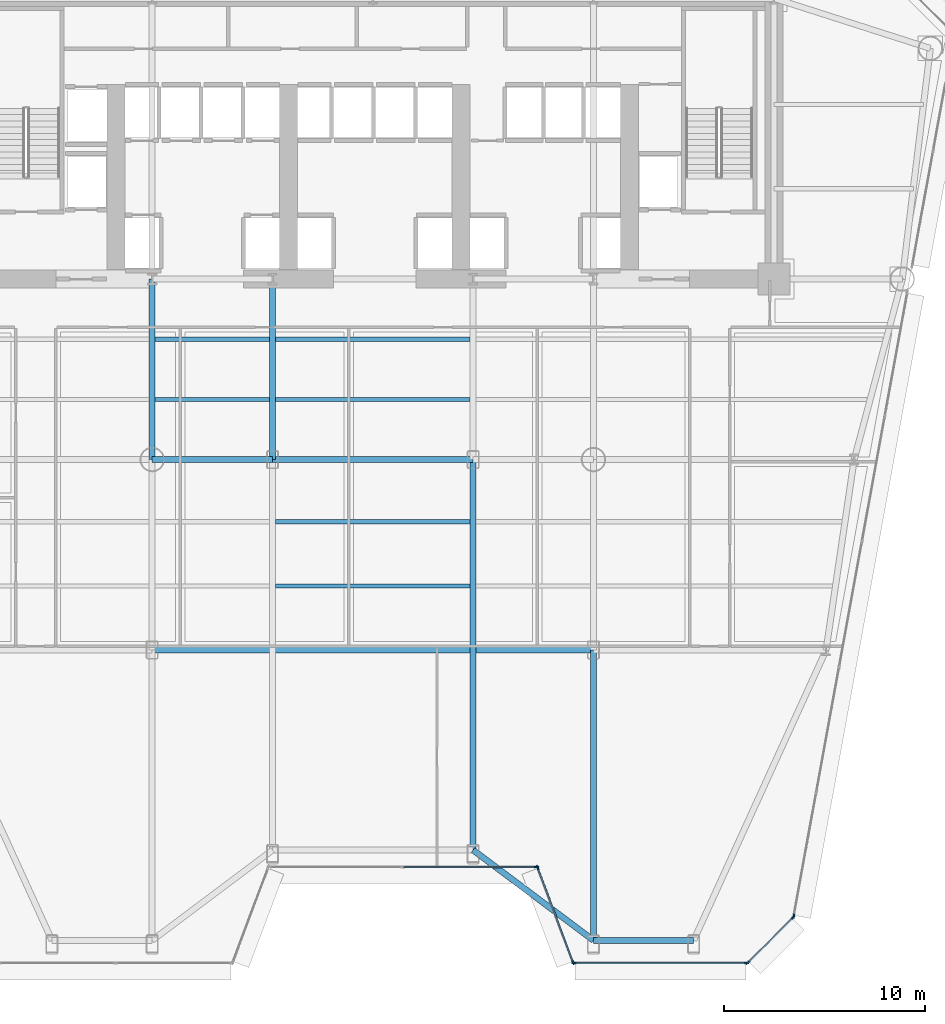
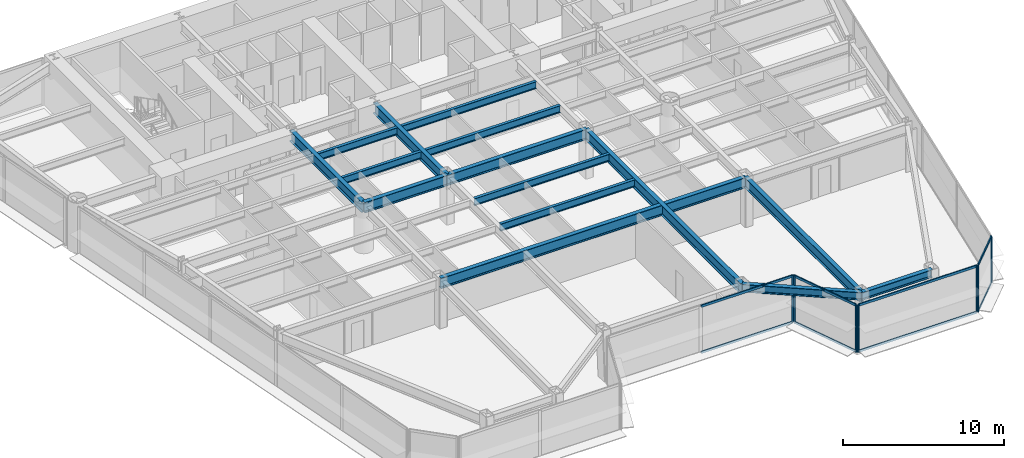
# One storey, part 3 of 14: 16 members, 15 beams, 5 elements without a shape of their own.
"""IFC4 building model written with IfcOpenShell, lengths in metres."""

from ifc_helpers import new_model, si_unit, direction, frame, origin, origin_2d, place, context, subcontext, project, spatial, rectangle, i_section, extrude, source, transform, mapped, material, layer, layer_set, material_profile, profile_set, type_object, element, aggregate, save


model = new_model("IFC4")

# Units and contexts
model_context = context("Model", 3, precision=1e-05, world=origin(), true_north=direction((0.0, 1.0)))
body_context = subcontext(model_context, "Body", "Model", "MODEL_VIEW")
ifc_project = project(units=[si_unit("LENGTHUNIT", "METRE"), si_unit("AREAUNIT", "SQUARE_METRE"), si_unit("VOLUMEUNIT", "CUBIC_METRE"), si_unit("PLANEANGLEUNIT", "RADIAN"), si_unit("MASSUNIT", "GRAM", prefix="KILO")], contexts=[model_context])

# Site, building, storey
site_placement = place(None, origin())
site = spatial("IfcSite", under=ifc_project, at=site_placement, CompositionType="ELEMENT")
building_placement = place(site_placement, origin())
building = spatial("IfcBuilding", under=site, at=building_placement, Name="Vaeldorn Concourse Tower", CompositionType="ELEMENT")
storey_placement = place(building_placement, frame((0.0, 0.0, 56.800048828125)))
storey = spatial("IfcBuildingStorey", under=building, at=storey_placement, Name="L14", CompositionType="ELEMENT", Elevation=56.800048828125)

# Beams
ifc_material_1 = material(Name="Steel S355", Category="steel")
ifc_material_profile_1 = material_profile(ifc_material_1, i_section(OverallWidth=0.300048828125, OverallDepth=0.800048828125, WebThickness=0.017578125, FlangeThickness=0.032958984375, FilletRadius=0.030029296875, at=origin_2d()), Name="HEB 800")
ifc_profile_set_1 = profile_set([ifc_material_profile_1], Name="Steel S355")
beam_type_1 = type_object("IfcBeamType", Name="BM-PG-HEB800", PredefinedType="BEAM", material=ifc_profile_set_1)
shared_shape_1 = source(origin(), body_context, "Body", "SweptSolid", [
    extrude(i_section(OverallWidth=0.300048828125, OverallDepth=0.800048828125, WebThickness=0.017578125, FlangeThickness=0.032958984375, FilletRadius=0.030029296875, at=origin_2d()), origin(), (0.0, 0.0, 1.0), 6.0),
])
beam_1_placement = place(storey_placement, frame((23.0, 27.5, 3.179931640625), z_axis=(1.0, 0.0, 0.0), x_axis=(0.0, 1.0, 0.0)))
element("IfcBeam", 1, at=beam_1_placement, inside=storey, type_object=beam_type_1, Name="Beam BM-L14-C-TW1-C-TW2", PredefinedType="BEAM", context=body_context, shape_type="MappedRepresentation", body=[
    mapped(shared_shape_1, transform((0.0, 0.0, 0.0), scale=1.0)),
])
shared_shape_2 = source(origin(), body_context, "Body", "SweptSolid", [
    extrude(i_section(OverallWidth=0.300048828125, OverallDepth=0.800048828125, WebThickness=0.017578125, FlangeThickness=0.032958984375, FilletRadius=0.030029296875, at=origin_2d()), origin(), (0.0, 0.0, 1.0), 10.0),
])
beam_2_placement = place(storey_placement, frame((29.0, 27.5, 3.179931640625), z_axis=(1.0, 0.0, 0.0), x_axis=(0.0, 1.0, 0.0)))
element("IfcBeam", 2, at=beam_2_placement, inside=storey, type_object=beam_type_1, Name="Beam BM-L14-C-TW2-C-TW3", PredefinedType="BEAM", context=body_context, shape_type="MappedRepresentation", body=[
    mapped(shared_shape_2, transform((0.0, 0.0, 0.0), scale=1.0)),
])
shared_shape_3 = source(origin(), body_context, "Body", "SweptSolid", [
    extrude(i_section(OverallWidth=0.300048828125, OverallDepth=0.800048828125, WebThickness=0.017578125, FlangeThickness=0.032958984375, FilletRadius=0.030029296875, at=origin_2d()), origin(), (0.0, 0.0, 1.0), 9.0),
])
for number, where, z_axis, x_axis, name in (
    (3, (23.0, 27.5, 3.179931640625), (0.0, 1.0, 0.0), (-1.0, 0.0, 0.0), "Beam BM-L14-C-TW1-C-FC2"),
    (4, (29.0, 27.5, 3.179931640625), (0.0, 1.0, 0.0), (-1.0, 0.0, 0.0), "Beam BM-L14-C-TW2-C-FC3"),
):
    element("IfcBeam", number, at=place(storey_placement, frame(where, z_axis=z_axis, x_axis=x_axis)), inside=storey, type_object=beam_type_1, Name=name, PredefinedType="BEAM", context=body_context, shape_type="MappedRepresentation", body=[
        mapped(shared_shape_3, transform((0.0, 0.0, 0.0), scale=1.0)),
    ])
ifc_material_profile_2 = material_profile(ifc_material_1, i_section(OverallWidth=0.300048828125, OverallDepth=0.60009765625, WebThickness=0.015380859375, FlangeThickness=0.030029296875, FilletRadius=0.027099609375, at=origin_2d()), Name="HEB 600")
ifc_profile_set_2 = profile_set([ifc_material_profile_2], Name="Steel S355")
beam_type_2 = type_object("IfcBeamType", Name="BM-SP-HEB600", PredefinedType="SPANDREL", material=ifc_profile_set_2)
shared_shape_4 = source(origin(), body_context, "Body", "SweptSolid", [
    extrude(i_section(OverallWidth=0.300048828125, OverallDepth=0.60009765625, WebThickness=0.015380859375, FlangeThickness=0.030029296875, FilletRadius=0.027099609375, at=origin_2d()), origin(), (0.0, 0.0, 1.0), 5.0),
])
beam_3_placement = place(storey_placement, frame((45.0, 3.52978515625, 3.280029296875), z_axis=(1.0, 0.0, 0.0), x_axis=(0.0, 1.0, 0.0)))
element("IfcBeam", 5, at=beam_3_placement, inside=storey, type_object=beam_type_2, Name="Beam BM-L14-C-SF5-C-SF6", PredefinedType="SPANDREL", context=body_context, shape_type="MappedRepresentation", body=[
    mapped(shared_shape_4, transform((0.0, 0.0, 0.0), scale=1.0)),
])
shared_shape_5 = source(origin(), body_context, "Body", "SweptSolid", [
    extrude(i_section(OverallWidth=0.300048828125, OverallDepth=0.60009765625, WebThickness=0.015380859375, FlangeThickness=0.030029296875, FilletRadius=0.027099609375, at=origin_2d()), origin(), (0.0, 0.0, 1.0), 7.5),
])
beam_4_placement = place(storey_placement, frame((39.0, 8.02978515625, 3.280029296875), z_axis=(0.8, -0.6, 0.0), x_axis=(0.6, 0.8, 0.0)))
element("IfcBeam", 6, at=beam_4_placement, inside=storey, type_object=beam_type_2, Name="Beam BM-L14-C-SF4-C-SF5", PredefinedType="SPANDREL", context=body_context, shape_type="MappedRepresentation", body=[
    mapped(shared_shape_5, transform((0.0, 0.0, 0.0), scale=1.0)),
])
shared_shape_6 = source(origin(), body_context, "Body", "SweptSolid", [
    extrude(i_section(OverallWidth=0.300048828125, OverallDepth=0.800048828125, WebThickness=0.017578125, FlangeThickness=0.032958984375, FilletRadius=0.030029296875, at=origin_2d()), origin(), (0.0, 0.0, 1.0), 22.0),
])
beam_5_placement = place(storey_placement, frame((23.0, 18.0, 3.179931640625), z_axis=(1.0, 0.0, 0.0), x_axis=(0.0, 1.0, 0.0)))
element("IfcBeam", 7, at=beam_5_placement, inside=storey, type_object=beam_type_1, Name="Beam BM-L14-C-TW5-C-TW6", PredefinedType="BEAM", context=body_context, shape_type="MappedRepresentation", body=[
    mapped(shared_shape_6, transform((0.0, 0.0, 0.0), scale=1.0)),
])
ifc_material_profile_3 = material_profile(ifc_material_1, i_section(OverallWidth=0.2099609375, OverallDepth=0.550048828125, WebThickness=0.010986328125, FlangeThickness=0.01708984375, FilletRadius=0.02392578125, at=origin_2d()), Name="IPE 550")
ifc_profile_set_3 = profile_set([ifc_material_profile_3], Name="Steel S355")
beam_type_3 = type_object("IfcBeamType", Name="BM-JS-IPE550", PredefinedType="JOIST", material=ifc_profile_set_3)
shared_shape_7 = source(origin(), body_context, "Body", "SweptSolid", [
    extrude(i_section(OverallWidth=0.2099609375, OverallDepth=0.550048828125, WebThickness=0.010986328125, FlangeThickness=0.01708984375, FilletRadius=0.02392578125, at=origin_2d()), origin(), (0.0, 0.0, 1.0), 5.7001953125),
])
for number, where, z_axis, x_axis, name in (
    (8, (23.14990234375, 30.5, 3.304931640625), (1.0, 0.0, 0.0), (0.0, 1.0, 0.0), "Beam JS-L14-W2-305"),
    (9, (23.14990234375, 33.5, 3.304931640625), (1.0, 0.0, 0.0), (0.0, 1.0, 0.0), "Beam JS-L14-W2-335"),
):
    element("IfcBeam", number, at=place(storey_placement, frame(where, z_axis=z_axis, x_axis=x_axis)), inside=storey, type_object=beam_type_3, Name=name, PredefinedType="JOIST", context=body_context, shape_type="MappedRepresentation", body=[
        mapped(shared_shape_7, transform((0.0, 0.0, 0.0), scale=1.0)),
    ])
shared_shape_8 = source(origin(), body_context, "Body", "SweptSolid", [
    extrude(i_section(OverallWidth=0.2099609375, OverallDepth=0.550048828125, WebThickness=0.010986328125, FlangeThickness=0.01708984375, FilletRadius=0.02392578125, at=origin_2d()), origin(), (0.0, 0.0, 1.0), 9.7001953125),
])
for number, where, z_axis, x_axis, name in (
    (10, (29.14990234375, 21.199951171875, 3.304931640625), (1.0, 0.0, 0.0), (0.0, 1.0, 0.0), "Beam JS-L14-C-212"),
    (11, (29.14990234375, 24.39990234375, 3.304931640625), (1.0, 0.0, 0.0), (0.0, 1.0, 0.0), "Beam JS-L14-C-244"),
    (12, (29.14990234375, 30.5, 3.304931640625), (1.0, 0.0, 0.0), (0.0, 1.0, 0.0), "Beam JS-L14-C-305"),
    (13, (29.14990234375, 33.5, 3.304931640625), (1.0, 0.0, 0.0), (0.0, 1.0, 0.0), "Beam JS-L14-C-335"),
):
    element("IfcBeam", number, at=place(storey_placement, frame(where, z_axis=z_axis, x_axis=x_axis)), inside=storey, type_object=beam_type_3, Name=name, PredefinedType="JOIST", context=body_context, shape_type="MappedRepresentation", body=[
        mapped(shared_shape_8, transform((0.0, 0.0, 0.0), scale=1.0)),
    ])
shared_shape_9 = source(origin(), body_context, "Body", "SweptSolid", [
    extrude(i_section(OverallWidth=0.300048828125, OverallDepth=0.800048828125, WebThickness=0.017578125, FlangeThickness=0.032958984375, FilletRadius=0.030029296875, at=origin_2d()), origin(), (0.0, 0.0, 1.0), 14.47021484375),
])
beam_6_placement = place(storey_placement, frame((45.0, 3.52978515625, 3.179931640625), z_axis=(0.0, 1.0, 0.0), x_axis=(-1.0, 0.0, 0.0)))
element("IfcBeam", 14, at=beam_6_placement, inside=storey, type_object=beam_type_1, Name="Beam BM-L14-C-SF5-C-TW6", PredefinedType="BEAM", context=body_context, shape_type="MappedRepresentation", body=[
    mapped(shared_shape_9, transform((0.0, 0.0, 0.0), scale=1.0)),
])
shared_shape_10 = source(origin(), body_context, "Body", "SweptSolid", [
    extrude(i_section(OverallWidth=0.300048828125, OverallDepth=0.800048828125, WebThickness=0.017578125, FlangeThickness=0.032958984375, FilletRadius=0.030029296875, at=origin_2d()), origin(), (0.0, 0.0, 1.0), 19.47021484375),
])
beam_7_placement = place(storey_placement, frame((39.0, 8.02978515625, 3.179931640625), z_axis=(0.0, 1.0, 0.0), x_axis=(-1.0, 0.0, 0.0)))
element("IfcBeam", 15, at=beam_7_placement, inside=storey, type_object=beam_type_1, Name="Beam BM-L14-C-SF4-C-TW3", PredefinedType="BEAM", context=body_context, shape_type="MappedRepresentation", body=[
    mapped(shared_shape_10, transform((0.0, 0.0, 0.0), scale=1.0)),
])

# Curtain wall, member
ifc_material_2 = material(Name="Anodised Bronze Aluminium", Category="aluminium")
ifc_layer = layer(ifc_material_2, 0.219970703125)
ifc_layer_set = layer_set([ifc_layer], Name="Anodised Bronze Aluminium")
curtain_wall_type = type_object("IfcCurtainWallType", Name="CW-SYS-01", PredefinedType="NOTDEFINED", material=ifc_layer_set)
curtain_wall_1_placement = place(storey_placement, origin())
curtain_wall_1 = element("IfcCurtainWall", 16, at=curtain_wall_1_placement, inside=storey, type_object=curtain_wall_type, Name="Unitised Curtain Wall CW-L14-E03-1", PredefinedType="NOTDEFINED")
ifc_material_profile_4 = material_profile(ifc_material_2, rectangle(XDim=0.074951171875, YDim=0.219970703125, at=origin_2d()), Name="CWM 75x220")
ifc_profile_set_4 = profile_set([ifc_material_profile_4], Name="Anodised Bronze Aluminium")
member_type_1 = type_object("IfcMemberType", Name="CWM-BRONZE-220", PredefinedType="MULLION", material=ifc_profile_set_4)
shared_shape_11 = source(origin(), body_context, "Body", "SweptSolid", [
    extrude(rectangle(XDim=0.074951171875, YDim=0.219970703125, at=origin_2d()), origin(), (0.0, 0.0, 1.0), 3.579833984375),
])
member_1_placement = place(storey_placement, frame((42.16259765625, 7.19091796875, 0.0), z_axis=(0.0, 0.0, 1.0), x_axis=(0.0, 1.0, 0.0)))
member_1 = element("IfcMember", 17, at=member_1_placement, type_object=member_type_1, Name="CW-01 mullion 3", PredefinedType="MULLION", context=body_context, shape_type="MappedRepresentation", body=[
    mapped(shared_shape_11, transform((0.0, 0.0, 0.0), scale=1.0)),
])

# Curtain wall, members
curtain_wall_2_placement = place(storey_placement, origin())
curtain_wall_2 = element("IfcCurtainWall", 18, at=curtain_wall_2_placement, inside=storey, type_object=curtain_wall_type, Name="Unitised Curtain Wall CW-L14-E04-1", PredefinedType="NOTDEFINED")
member_2_placement = place(storey_placement, frame((42.213134765625, 7.15576171875, 0.0), z_axis=(0.0, 0.0, 1.0), x_axis=(0.936329177566, 0.351123441595, 0.0)))
member_2 = element("IfcMember", 19, at=member_2_placement, type_object=member_type_1, Name="CW-01 mullion 1", PredefinedType="MULLION", context=body_context, shape_type="MappedRepresentation", body=[
    mapped(shared_shape_11, transform((0.0, 0.0, 0.0), scale=1.0)),
])
member_3_placement = place(storey_placement, frame((43.98681640625, 2.426025390625, 0.0), z_axis=(0.0, 0.0, 1.0), x_axis=(0.936329177566, 0.351123441595, 0.0)))
member_3 = element("IfcMember", 20, at=member_3_placement, type_object=member_type_1, Name="CW-01 mullion 2", PredefinedType="MULLION", context=body_context, shape_type="MappedRepresentation", body=[
    mapped(shared_shape_11, transform((0.0, 0.0, 0.0), scale=1.0)),
])

curtain_wall_3_placement = place(storey_placement, origin())
curtain_wall_3 = element("IfcCurtainWall", 21, at=curtain_wall_3_placement, inside=storey, type_object=curtain_wall_type, Name="Unitised Curtain Wall CW-L14-E05-1", PredefinedType="NOTDEFINED")
member_4_placement = place(storey_placement, frame((44.03759765625, 2.390869140625, 0.0), z_axis=(0.0, 0.0, 1.0), x_axis=(0.0, 1.0, 0.0)))
member_4 = element("IfcMember", 22, at=member_4_placement, type_object=member_type_1, Name="CW-01 mullion 1", PredefinedType="MULLION", context=body_context, shape_type="MappedRepresentation", body=[
    mapped(shared_shape_11, transform((0.0, 0.0, 0.0), scale=1.0)),
])
member_5_placement = place(storey_placement, frame((52.64208984375, 2.390869140625, 0.0), z_axis=(0.0, 0.0, 1.0), x_axis=(0.0, 1.0, 0.0)))
member_5 = element("IfcMember", 23, at=member_5_placement, type_object=member_type_1, Name="CW-01 mullion 2", PredefinedType="MULLION", context=body_context, shape_type="MappedRepresentation", body=[
    mapped(shared_shape_11, transform((0.0, 0.0, 0.0), scale=1.0)),
])

curtain_wall_4_placement = place(storey_placement, origin())
curtain_wall_4 = element("IfcCurtainWall", 24, at=curtain_wall_4_placement, inside=storey, type_object=curtain_wall_type, Name="Unitised Curtain Wall CW-L14-E06-1", PredefinedType="NOTDEFINED")
member_6_placement = place(storey_placement, frame((52.7060546875, 2.417236328125, 0.0), z_axis=(0.0, 0.0, 1.0), x_axis=(-0.707106781187, 0.707106781187, 0.0)))
member_6 = element("IfcMember", 25, at=member_6_placement, type_object=member_type_1, Name="CW-01 mullion 1", PredefinedType="MULLION", context=body_context, shape_type="MappedRepresentation", body=[
    mapped(shared_shape_11, transform((0.0, 0.0, 0.0), scale=1.0)),
])
member_7_placement = place(storey_placement, frame((54.952880859375, 4.664306640625, 0.0), z_axis=(0.0, 0.0, 1.0), x_axis=(-0.707106781187, 0.707106781187, 0.0)))
member_7 = element("IfcMember", 26, at=member_7_placement, type_object=member_type_1, Name="CW-01 mullion 2", PredefinedType="MULLION", context=body_context, shape_type="MappedRepresentation", body=[
    mapped(shared_shape_11, transform((0.0, 0.0, 0.0), scale=1.0)),
])

# Curtain wall, member
curtain_wall_5_placement = place(storey_placement, origin())
curtain_wall_5 = element("IfcCurtainWall", 27, at=curtain_wall_5_placement, inside=storey, type_object=curtain_wall_type, Name="Unitised Curtain Wall CW-L14-E07-1", PredefinedType="NOTDEFINED")
member_8_placement = place(storey_placement, frame((54.986328125, 4.727783203125, 0.0), z_axis=(0.0, 0.0, 1.0), x_axis=(-0.9837957391, 0.179292899269, 0.0)))
member_8 = element("IfcMember", 28, at=member_8_placement, type_object=member_type_1, Name="CW-01 mullion 1", PredefinedType="MULLION", context=body_context, shape_type="MappedRepresentation", body=[
    mapped(shared_shape_11, transform((0.0, 0.0, 0.0), scale=1.0)),
])
aggregate(curtain_wall_5, [member_8])

# Member
ifc_material_profile_5 = material_profile(ifc_material_2, rectangle(XDim=0.074951171875, YDim=0.179931640625, at=origin_2d()), Name="CWT 75x180")
ifc_profile_set_5 = profile_set([ifc_material_profile_5], Name="Anodised Bronze Aluminium")
member_type_2 = type_object("IfcMemberType", Name="CWT-BRONZE-180", PredefinedType="USERDEFINED", material=ifc_profile_set_5)
shared_shape_12 = source(origin(), body_context, "Body", "SweptSolid", [
    extrude(rectangle(XDim=0.074951171875, YDim=0.179931640625, at=origin_2d()), origin(), (0.0, 0.0, 1.0), 6.58740234375),
])
member_9_placement = place(storey_placement, frame((35.53759765625, 7.19091796875, 0.037353515625), z_axis=(1.0, 0.0, 0.0), x_axis=(0.0, 1.0, 0.0)))
member_9 = element("IfcMember", 29, at=member_9_placement, type_object=member_type_2, Name="CW-01 transom 2.1", ObjectType="TRANSOM", PredefinedType="USERDEFINED", context=body_context, shape_type="MappedRepresentation", body=[
    mapped(shared_shape_12, transform((0.0, 0.0, 0.0), scale=1.0)),
])

member_10_placement = place(storey_placement, frame((35.53759765625, 7.19091796875, 3.54248046875), z_axis=(1.0, 0.0, 0.0), x_axis=(0.0, 1.0, 0.0)))
member_10 = element("IfcMember", 30, at=member_10_placement, type_object=member_type_2, Name="CW-01 transom 2.2", ObjectType="TRANSOM", PredefinedType="USERDEFINED", context=body_context, shape_type="MappedRepresentation", body=[
    mapped(shared_shape_12, transform((0.0, 0.0, 0.0), scale=1.0)),
])

aggregate(curtain_wall_1, [member_1, member_9, member_10])

shared_shape_13 = source(origin(), body_context, "Body", "SweptSolid", [
    extrude(rectangle(XDim=0.074951171875, YDim=0.179931640625, at=origin_2d()), origin(), (0.0, 0.0, 1.0), 3.102783203125),
])
member_11_placement = place(storey_placement, frame((52.732421875, 2.44384765625, 0.037353515625), z_axis=(0.707146122816, 0.707067437368, 0.0), x_axis=(-0.707067437368, 0.707146122816, 0.0)))
member_11 = element("IfcMember", 31, at=member_11_placement, type_object=member_type_2, Name="CW-01 transom 1.1", ObjectType="TRANSOM", PredefinedType="USERDEFINED", context=body_context, shape_type="MappedRepresentation", body=[
    mapped(shared_shape_13, transform((0.0, 0.0, 0.0), scale=1.0)),
])

member_12_placement = place(storey_placement, frame((52.732421875, 2.44384765625, 3.54248046875), z_axis=(0.707146122816, 0.707067437368, 0.0), x_axis=(-0.707067437368, 0.707146122816, 0.0)))
member_12 = element("IfcMember", 32, at=member_12_placement, type_object=member_type_2, Name="CW-01 transom 1.2", ObjectType="TRANSOM", PredefinedType="USERDEFINED", context=body_context, shape_type="MappedRepresentation", body=[
    mapped(shared_shape_13, transform((0.0, 0.0, 0.0), scale=1.0)),
])

aggregate(curtain_wall_4, [member_6, member_7, member_11, member_12])

shared_shape_14 = source(origin(), body_context, "Body", "SweptSolid", [
    extrude(rectangle(XDim=0.074951171875, YDim=0.179931640625, at=origin_2d()), origin(), (0.0, 0.0, 1.0), 4.9765625),
])
member_13_placement = place(storey_placement, frame((42.226318359375, 7.12060546875, 0.037353515625), z_axis=(0.351112688987, -0.936333209724, 0.0), x_axis=(0.936333209724, 0.351112688987, 0.0)))
member_13 = element("IfcMember", 33, at=member_13_placement, type_object=member_type_2, Name="CW-01 transom 1.1", ObjectType="TRANSOM", PredefinedType="USERDEFINED", context=body_context, shape_type="MappedRepresentation", body=[
    mapped(shared_shape_14, transform((0.0, 0.0, 0.0), scale=1.0)),
])

member_14_placement = place(storey_placement, frame((42.226318359375, 7.12060546875, 3.54248046875), z_axis=(0.351112688987, -0.936333209724, 0.0), x_axis=(0.936333209724, 0.351112688987, 0.0)))
member_14 = element("IfcMember", 34, at=member_14_placement, type_object=member_type_2, Name="CW-01 transom 1.2", ObjectType="TRANSOM", PredefinedType="USERDEFINED", context=body_context, shape_type="MappedRepresentation", body=[
    mapped(shared_shape_14, transform((0.0, 0.0, 0.0), scale=1.0)),
])

aggregate(curtain_wall_2, [member_2, member_3, member_13, member_14])

shared_shape_15 = source(origin(), body_context, "Body", "SweptSolid", [
    extrude(rectangle(XDim=0.074951171875, YDim=0.179931640625, at=origin_2d()), origin(), (0.0, 0.0, 1.0), 8.529541015625),
])
member_15_placement = place(storey_placement, frame((44.074951171875, 2.390869140625, 0.037353515625), z_axis=(1.0, 0.0, 0.0), x_axis=(0.0, 1.0, 0.0)))
member_15 = element("IfcMember", 35, at=member_15_placement, type_object=member_type_2, Name="CW-01 transom 1.1", ObjectType="TRANSOM", PredefinedType="USERDEFINED", context=body_context, shape_type="MappedRepresentation", body=[
    mapped(shared_shape_15, transform((0.0, 0.0, 0.0), scale=1.0)),
])

member_16_placement = place(storey_placement, frame((44.074951171875, 2.390869140625, 3.54248046875), z_axis=(1.0, 0.0, 0.0), x_axis=(0.0, 1.0, 0.0)))
member_16 = element("IfcMember", 36, at=member_16_placement, type_object=member_type_2, Name="CW-01 transom 1.2", ObjectType="TRANSOM", PredefinedType="USERDEFINED", context=body_context, shape_type="MappedRepresentation", body=[
    mapped(shared_shape_15, transform((0.0, 0.0, 0.0), scale=1.0)),
])

aggregate(curtain_wall_3, [member_4, member_5, member_15, member_16])

save(model, "model.ifc")
